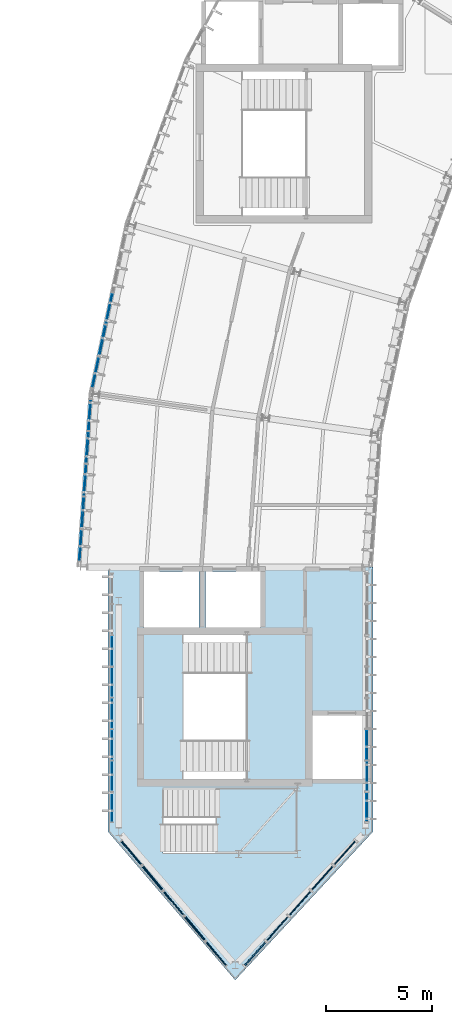
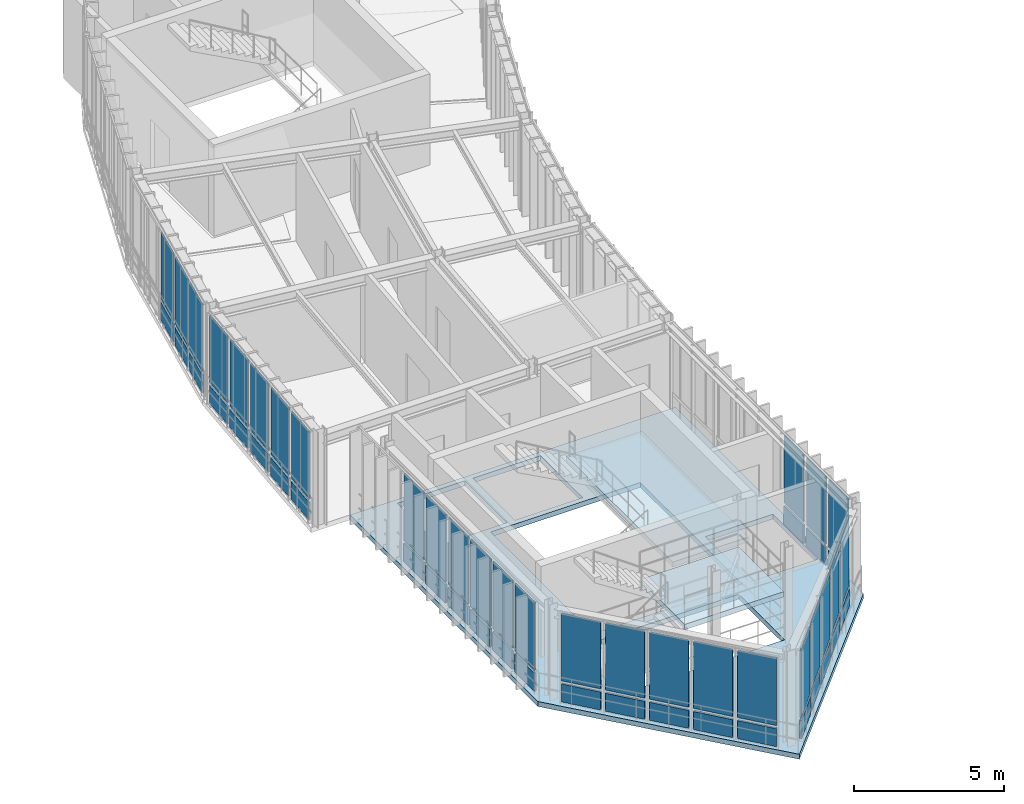
# One storey, part 18 of 41: 54 plates, 3 slabs, 8 elements without a shape of their own.
"""IFC4 building model written with IfcOpenShell, lengths in metres."""

from ifc_helpers import new_model, si_unit, direction, frame, origin, origin_2d, place, context, subcontext, project, spatial, polyline, rectangle, outline, extrude, material, layer, layer_set, type_object, element, aggregate, save


model = new_model("IFC4")

# Units and contexts
model_context = context("Model", 3, precision=1e-05, world=origin(), true_north=direction((0.0, 1.0)))
body_context = subcontext(model_context, "Body", "Model", "MODEL_VIEW")
ifc_project = project(units=[si_unit("LENGTHUNIT", "METRE"), si_unit("AREAUNIT", "SQUARE_METRE"), si_unit("VOLUMEUNIT", "CUBIC_METRE"), si_unit("PLANEANGLEUNIT", "RADIAN"), si_unit("MASSUNIT", "GRAM", prefix="KILO"), si_unit("THERMODYNAMICTEMPERATUREUNIT", "KELVIN"), si_unit("POWERUNIT", "WATT")], contexts=[model_context])

# Site, building, storey
site_placement = place(None, origin())
site = spatial("IfcSite", under=ifc_project, at=site_placement, CompositionType="ELEMENT")
building_placement = place(site_placement, origin())
building = spatial("IfcBuilding", under=site, at=building_placement, Name="Solvatero Civic Police Headquarters", CompositionType="ELEMENT")
storey_placement = place(building_placement, frame((0.0, 0.0, 17.699951171875)))
storey = spatial("IfcBuildingStorey", under=building, at=storey_placement, Name="L04", CompositionType="ELEMENT", Elevation=17.699951171875)

# Curtain wall, plates
ifc_material_1 = material(Name="Anodized Bronze Aluminium", Category="aluminium")
ifc_layer_1 = layer(ifc_material_1, 0.179931640625)
ifc_layer_set_1 = layer_set([ifc_layer_1], Name="Anodized Bronze Aluminium")
curtain_wall_type_1 = type_object("IfcCurtainWallType", Name="CW-ARC-OUT", PredefinedType="USERDEFINED", material=ifc_layer_set_1)
curtain_wall_1_placement = place(storey_placement, origin())
curtain_wall_1 = element("IfcCurtainWall", 1, at=curtain_wall_1_placement, inside=storey, type_object=curtain_wall_type_1, Name="Curtain Wall CW-R2-L04-ARC-OUT-B11", ObjectType="UNITISED", PredefinedType="USERDEFINED")
ifc_material_2 = material(Name="Triple Low-E Laminated Glass", Category="glass")
ifc_layer_2 = layer(ifc_material_2, 0.0380859375)
ifc_layer_set_2 = layer_set([ifc_layer_2], Name="Triple Low-E Laminated Glass")
plate_type_1 = type_object("IfcPlateType", Name="CWP-GLZ-38", PredefinedType="CURTAIN_PANEL", material=ifc_layer_set_2)
plate_1_placement = place(storey_placement, frame((36.5458984375, 38.207275390625, 0.91015625), z_axis=(0.0, 0.0, 1.0), x_axis=(-0.207911690818, -0.978147600734, 0.0)))
plate_1 = element("IfcPlate", 2, at=plate_1_placement, type_object=plate_type_1, Name="CW-R2-L04-ARC-OUT-B11 Vision Glazing 3", PredefinedType="CURTAIN_PANEL", context=body_context, shape_type="SweptSolid", body=[
    extrude(rectangle(XDim=1.37060546875, YDim=0.0380859375, at=origin_2d()), origin(), (0.0, 0.0, 1.0), 2.72998046875),
])
plate_2_placement = place(storey_placement, frame((35.901123046875, 35.174072265625, 0.91015625), z_axis=(0.0, 0.0, 1.0), x_axis=(-0.207911690818, -0.978147600734, 0.0)))
plate_2 = element("IfcPlate", 3, at=plate_2_placement, type_object=plate_type_1, Name="CW-R2-L04-ARC-OUT-B11 Vision Glazing 5", PredefinedType="CURTAIN_PANEL", context=body_context, shape_type="SweptSolid", body=[
    extrude(rectangle(XDim=1.37060546875, YDim=0.0380859375, at=origin_2d()), origin(), (0.0, 0.0, 1.0), 2.72998046875),
])

curtain_wall_2_placement = place(storey_placement, origin())
curtain_wall_2 = element("IfcCurtainWall", 4, at=curtain_wall_2_placement, inside=storey, type_object=curtain_wall_type_1, Name="Curtain Wall CW-R2-L04-ARC-OUT-B12", ObjectType="UNITISED", PredefinedType="USERDEFINED")
plate_3_placement = place(storey_placement, frame((35.623046875, 33.19580078125, 0.91015625), z_axis=(0.0, 0.0, 1.0), x_axis=(-0.069739062956, -0.997565267588, 0.0)))
plate_3 = element("IfcPlate", 5, at=plate_3_placement, type_object=plate_type_1, Name="CW-R2-L04-ARC-OUT-B12 Vision Glazing 1", PredefinedType="CURTAIN_PANEL", context=body_context, shape_type="SweptSolid", body=[
    extrude(rectangle(XDim=1.37060546875, YDim=0.0380859375, at=origin_2d()), origin(), (0.0, 0.0, 1.0), 2.72998046875),
])
plate_4_placement = place(storey_placement, frame((35.40673828125, 30.102294921875, 0.91015625), z_axis=(0.0, 0.0, 1.0), x_axis=(-0.069739062956, -0.997565267588, 0.0)))
plate_4 = element("IfcPlate", 6, at=plate_4_placement, type_object=plate_type_1, Name="CW-R2-L04-ARC-OUT-B12 Vision Glazing 3", PredefinedType="CURTAIN_PANEL", context=body_context, shape_type="SweptSolid", body=[
    extrude(rectangle(XDim=1.37060546875, YDim=0.0380859375, at=origin_2d()), origin(), (0.0, 0.0, 1.0), 2.72998046875),
])
plate_5_placement = place(storey_placement, frame((35.1904296875, 27.0087890625, 0.91015625), z_axis=(0.0, 0.0, 1.0), x_axis=(-0.069739062956, -0.997565267588, 0.0)))
plate_5 = element("IfcPlate", 7, at=plate_5_placement, type_object=plate_type_1, Name="CW-R2-L04-ARC-OUT-B12 Vision Glazing 5", PredefinedType="CURTAIN_PANEL", context=body_context, shape_type="SweptSolid", body=[
    extrude(rectangle(XDim=1.37060546875, YDim=0.0380859375, at=origin_2d()), origin(), (0.0, 0.0, 1.0), 2.72998046875),
])

ifc_layer_3 = layer(ifc_material_1, 0.179931640625)
ifc_layer_set_3 = layer_set([ifc_layer_3], Name="Anodized Bronze Aluminium")
curtain_wall_type_2 = type_object("IfcCurtainWallType", Name="CW-PROW-GLZ", PredefinedType="USERDEFINED", material=ifc_layer_set_3)
curtain_wall_3_placement = place(storey_placement, origin())
curtain_wall_3 = element("IfcCurtainWall", 8, at=curtain_wall_3_placement, inside=storey, type_object=curtain_wall_type_2, Name="Curtain Wall CW-R2-L04-PROW-W", ObjectType="UNITISED", PredefinedType="USERDEFINED")
plate_6_placement = place(storey_placement, frame((36.679931640625, 22.043212890625, 0.91015625), z_axis=(0.0, 0.0, 1.0), x_axis=(0.0, -1.0, 0.0)))
plate_6 = element("IfcPlate", 9, at=plate_6_placement, type_object=plate_type_1, Name="CW-R2-L04-PROW-W Vision Glazing 3", PredefinedType="CURTAIN_PANEL", context=body_context, shape_type="SweptSolid", body=[
    extrude(rectangle(XDim=1.298828125, YDim=0.0380859375, at=origin_2d()), origin(), (0.0, 0.0, 1.0), 2.72998046875),
])
plate_7_placement = place(storey_placement, frame((36.679931640625, 19.085693359375, 0.91015625), z_axis=(0.0, 0.0, 1.0), x_axis=(0.0, -1.0, 0.0)))
plate_7 = element("IfcPlate", 10, at=plate_7_placement, type_object=plate_type_1, Name="CW-R2-L04-PROW-W Vision Glazing 5", PredefinedType="CURTAIN_PANEL", context=body_context, shape_type="SweptSolid", body=[
    extrude(rectangle(XDim=1.298828125, YDim=0.0380859375, at=origin_2d()), origin(), (0.0, 0.0, 1.0), 2.72998046875),
])
plate_8_placement = place(storey_placement, frame((36.679931640625, 16.128173828125, 0.91015625), z_axis=(0.0, 0.0, 1.0), x_axis=(0.0, -1.0, 0.0)))
plate_8 = element("IfcPlate", 11, at=plate_8_placement, type_object=plate_type_1, Name="CW-R2-L04-PROW-W Vision Glazing 7", PredefinedType="CURTAIN_PANEL", context=body_context, shape_type="SweptSolid", body=[
    extrude(rectangle(XDim=1.298828125, YDim=0.0380859375, at=origin_2d()), origin(), (0.0, 0.0, 1.0), 2.72998046875),
])

# Curtain wall, plate
curtain_wall_4_placement = place(storey_placement, origin())
curtain_wall_4 = element("IfcCurtainWall", 12, at=curtain_wall_4_placement, inside=storey, type_object=curtain_wall_type_2, Name="Curtain Wall CW-R2-L04-PROW-E", ObjectType="UNITISED", PredefinedType="USERDEFINED")
plate_9_placement = place(storey_placement, frame((48.719970703125, 16.128173828125, 0.91015625), z_axis=(0.0, 0.0, 1.0), x_axis=(0.0, 1.0, 0.0)))
plate_9 = element("IfcPlate", 13, at=plate_9_placement, type_object=plate_type_1, Name="CW-R2-L04-PROW-E Vision Glazing 2", PredefinedType="CURTAIN_PANEL", context=body_context, shape_type="SweptSolid", body=[
    extrude(rectangle(XDim=1.298583984375, YDim=0.0380859375, at=origin_2d()), origin(), (0.0, 0.0, 1.0), 2.72998046875),
])

# Curtain wall, plates
curtain_wall_5_placement = place(storey_placement, origin())
curtain_wall_5 = element("IfcCurtainWall", 14, at=curtain_wall_5_placement, inside=storey, type_object=curtain_wall_type_2, Name="Curtain Wall CW-R2-L04-PROW-SW", ObjectType="UNITISED", PredefinedType="USERDEFINED")
plate_10_placement = place(storey_placement, frame((37.58984375, 12.507568359375, 0.91015625), z_axis=(0.0, 0.0, 1.0), x_axis=(0.643282165541, -0.765629189293, 0.0)))
plate_10 = element("IfcPlate", 15, at=plate_10_placement, type_object=plate_type_1, Name="CW-R2-L04-PROW-SW Vision Glazing 1", PredefinedType="CURTAIN_PANEL", context=body_context, shape_type="SweptSolid", body=[
    extrude(rectangle(XDim=1.37841796875, YDim=0.0380859375, at=origin_2d()), origin(), (0.0, 0.0, 1.0), 2.72998046875),
])
plate_11_placement = place(storey_placement, frame((39.5947265625, 10.121337890625, 0.91015625), z_axis=(0.0, 0.0, 1.0), x_axis=(0.643282165541, -0.765629189293, 0.0)))
plate_11 = element("IfcPlate", 16, at=plate_11_placement, type_object=plate_type_1, Name="CW-R2-L04-PROW-SW Vision Glazing 3", PredefinedType="CURTAIN_PANEL", context=body_context, shape_type="SweptSolid", body=[
    extrude(rectangle(XDim=1.37841796875, YDim=0.0380859375, at=origin_2d()), origin(), (0.0, 0.0, 1.0), 2.72998046875),
])
plate_12_placement = place(storey_placement, frame((41.599609375, 7.735107421875, 0.91015625), z_axis=(0.0, 0.0, 1.0), x_axis=(0.643282165541, -0.765629189293, 0.0)))
plate_12 = element("IfcPlate", 17, at=plate_12_placement, type_object=plate_type_1, Name="CW-R2-L04-PROW-SW Vision Glazing 5", PredefinedType="CURTAIN_PANEL", context=body_context, shape_type="SweptSolid", body=[
    extrude(rectangle(XDim=1.37841796875, YDim=0.0380859375, at=origin_2d()), origin(), (0.0, 0.0, 1.0), 2.72998046875),
])

curtain_wall_6_placement = place(storey_placement, origin())
curtain_wall_6 = element("IfcCurtainWall", 18, at=curtain_wall_6_placement, inside=storey, type_object=curtain_wall_type_2, Name="Curtain Wall CW-R2-L04-PROW-SE", ObjectType="UNITISED", PredefinedType="USERDEFINED")
plate_13_placement = place(storey_placement, frame((44.4892578125, 8.922607421875, 0.91015625), z_axis=(0.0, 0.0, 1.0), x_axis=(0.664669821698, 0.74713722175, 0.0)))
plate_13 = element("IfcPlate", 19, at=plate_13_placement, type_object=plate_type_1, Name="CW-R2-L04-PROW-SE Vision Glazing 2", PredefinedType="CURTAIN_PANEL", context=body_context, shape_type="SweptSolid", body=[
    extrude(rectangle(XDim=1.41943359375, YDim=0.0380859375, at=origin_2d()), origin(), (0.0, 0.0, 1.0), 2.72998046875),
])
plate_14_placement = place(storey_placement, frame((46.615478515625, 11.312744140625, 0.91015625), z_axis=(0.0, 0.0, 1.0), x_axis=(0.664669821698, 0.74713722175, 0.0)))
plate_14 = element("IfcPlate", 20, at=plate_14_placement, type_object=plate_type_1, Name="CW-R2-L04-PROW-SE Vision Glazing 4", PredefinedType="CURTAIN_PANEL", context=body_context, shape_type="SweptSolid", body=[
    extrude(rectangle(XDim=1.41943359375, YDim=0.0380859375, at=origin_2d()), origin(), (0.0, 0.0, 1.0), 2.72998046875),
])

# Plate
ifc_material_3 = material(Name="Acoustic Ballistic Laminated Glass", Category="glass")
ifc_layer_4 = layer(ifc_material_3, 0.0439453125)
ifc_layer_set_4 = layer_set([ifc_layer_4], Name="Acoustic Ballistic Laminated Glass")
plate_type_2 = type_object("IfcPlateType", Name="CWP-GLZ-44", PredefinedType="CURTAIN_PANEL", material=ifc_layer_set_4)
plate_15_placement = place(storey_placement, frame((36.223388671875, 36.690673828125, 0.91015625), z_axis=(0.0, 0.0, 1.0), x_axis=(-0.207911690818, -0.978147600734, 0.0)))
plate_15 = element("IfcPlate", 21, at=plate_15_placement, type_object=plate_type_2, Name="CW-R2-L04-ARC-OUT-B11 Vision Glazing 4", PredefinedType="CURTAIN_PANEL", context=body_context, shape_type="SweptSolid", body=[
    extrude(rectangle(XDim=1.37060546875, YDim=0.0439453125, at=origin_2d()), origin(), (0.0, 0.0, 1.0), 2.72998046875),
])

plate_16_placement = place(storey_placement, frame((35.514892578125, 31.64892578125, 0.91015625), z_axis=(0.0, 0.0, 1.0), x_axis=(-0.069739062956, -0.997565267588, 0.0)))
plate_16 = element("IfcPlate", 22, at=plate_16_placement, type_object=plate_type_2, Name="CW-R2-L04-ARC-OUT-B12 Vision Glazing 2", PredefinedType="CURTAIN_PANEL", context=body_context, shape_type="SweptSolid", body=[
    extrude(rectangle(XDim=1.37060546875, YDim=0.0439453125, at=origin_2d()), origin(), (0.0, 0.0, 1.0), 2.72998046875),
])

plate_17_placement = place(storey_placement, frame((35.298583984375, 28.555419921875, 0.91015625), z_axis=(0.0, 0.0, 1.0), x_axis=(-0.069739062956, -0.997565267588, 0.0)))
plate_17 = element("IfcPlate", 23, at=plate_17_placement, type_object=plate_type_2, Name="CW-R2-L04-ARC-OUT-B12 Vision Glazing 4", PredefinedType="CURTAIN_PANEL", context=body_context, shape_type="SweptSolid", body=[
    extrude(rectangle(XDim=1.37060546875, YDim=0.0439453125, at=origin_2d()), origin(), (0.0, 0.0, 1.0), 2.72998046875),
])

plate_18_placement = place(storey_placement, frame((36.679931640625, 20.564453125, 0.91015625), z_axis=(0.0, 0.0, 1.0), x_axis=(0.0, -1.0, 0.0)))
plate_18 = element("IfcPlate", 24, at=plate_18_placement, type_object=plate_type_2, Name="CW-R2-L04-PROW-W Vision Glazing 4", PredefinedType="CURTAIN_PANEL", context=body_context, shape_type="SweptSolid", body=[
    extrude(rectangle(XDim=1.298828125, YDim=0.0439453125, at=origin_2d()), origin(), (0.0, 0.0, 1.0), 2.72998046875),
])

plate_19_placement = place(storey_placement, frame((36.679931640625, 17.60693359375, 0.91015625), z_axis=(0.0, 0.0, 1.0), x_axis=(0.0, -1.0, 0.0)))
plate_19 = element("IfcPlate", 25, at=plate_19_placement, type_object=plate_type_2, Name="CW-R2-L04-PROW-W Vision Glazing 6", PredefinedType="CURTAIN_PANEL", context=body_context, shape_type="SweptSolid", body=[
    extrude(rectangle(XDim=1.298828125, YDim=0.0439453125, at=origin_2d()), origin(), (0.0, 0.0, 1.0), 2.72998046875),
])

plate_20_placement = place(storey_placement, frame((36.679931640625, 14.6494140625, 0.91015625), z_axis=(0.0, 0.0, 1.0), x_axis=(0.0, -1.0, 0.0)))
plate_20 = element("IfcPlate", 26, at=plate_20_placement, type_object=plate_type_2, Name="CW-R2-L04-PROW-W Vision Glazing 8", PredefinedType="CURTAIN_PANEL", context=body_context, shape_type="SweptSolid", body=[
    extrude(rectangle(XDim=1.298828125, YDim=0.0439453125, at=origin_2d()), origin(), (0.0, 0.0, 1.0), 2.72998046875),
])

plate_21_placement = place(storey_placement, frame((48.719970703125, 14.6494140625, 0.91015625), z_axis=(0.0, 0.0, 1.0), x_axis=(0.0, 1.0, 0.0)))
plate_21 = element("IfcPlate", 27, at=plate_21_placement, type_object=plate_type_2, Name="CW-R2-L04-PROW-E Vision Glazing 1", PredefinedType="CURTAIN_PANEL", context=body_context, shape_type="SweptSolid", body=[
    extrude(rectangle(XDim=1.298583984375, YDim=0.0439453125, at=origin_2d()), origin(), (0.0, 0.0, 1.0), 2.72998046875),
])

plate_22_placement = place(storey_placement, frame((48.719970703125, 17.60693359375, 0.91015625), z_axis=(0.0, 0.0, 1.0), x_axis=(0.0, 1.0, 0.0)))
plate_22 = element("IfcPlate", 28, at=plate_22_placement, type_object=plate_type_2, Name="CW-R2-L04-PROW-E Vision Glazing 3", PredefinedType="CURTAIN_PANEL", context=body_context, shape_type="SweptSolid", body=[
    extrude(rectangle(XDim=1.298828125, YDim=0.0439453125, at=origin_2d()), origin(), (0.0, 0.0, 1.0), 2.72998046875),
])

plate_23_placement = place(storey_placement, frame((38.59228515625, 11.314453125, 0.91015625), z_axis=(0.0, 0.0, 1.0), x_axis=(0.643282165541, -0.765629189293, 0.0)))
plate_23 = element("IfcPlate", 29, at=plate_23_placement, type_object=plate_type_2, Name="CW-R2-L04-PROW-SW Vision Glazing 2", PredefinedType="CURTAIN_PANEL", context=body_context, shape_type="SweptSolid", body=[
    extrude(rectangle(XDim=1.37841796875, YDim=0.0439453125, at=origin_2d()), origin(), (0.0, 0.0, 1.0), 2.72998046875),
])

plate_24_placement = place(storey_placement, frame((40.59716796875, 8.92822265625, 0.91015625), z_axis=(0.0, 0.0, 1.0), x_axis=(0.643282165541, -0.765629189293, 0.0)))
plate_24 = element("IfcPlate", 30, at=plate_24_placement, type_object=plate_type_2, Name="CW-R2-L04-PROW-SW Vision Glazing 4", PredefinedType="CURTAIN_PANEL", context=body_context, shape_type="SweptSolid", body=[
    extrude(rectangle(XDim=1.37841796875, YDim=0.0439453125, at=origin_2d()), origin(), (0.0, 0.0, 1.0), 2.72998046875),
])

plate_25_placement = place(storey_placement, frame((43.426025390625, 7.7275390625, 0.91015625), z_axis=(0.0, 0.0, 1.0), x_axis=(0.664669821698, 0.74713722175, 0.0)))
plate_25 = element("IfcPlate", 31, at=plate_25_placement, type_object=plate_type_2, Name="CW-R2-L04-PROW-SE Vision Glazing 1", PredefinedType="CURTAIN_PANEL", context=body_context, shape_type="SweptSolid", body=[
    extrude(rectangle(XDim=1.41943359375, YDim=0.0439453125, at=origin_2d()), origin(), (0.0, 0.0, 1.0), 2.72998046875),
])

plate_26_placement = place(storey_placement, frame((45.55224609375, 10.11767578125, 0.91015625), z_axis=(0.0, 0.0, 1.0), x_axis=(0.664669821698, 0.74713722175, 0.0)))
plate_26 = element("IfcPlate", 32, at=plate_26_placement, type_object=plate_type_2, Name="CW-R2-L04-PROW-SE Vision Glazing 3", PredefinedType="CURTAIN_PANEL", context=body_context, shape_type="SweptSolid", body=[
    extrude(rectangle(XDim=1.41943359375, YDim=0.0439453125, at=origin_2d()), origin(), (0.0, 0.0, 1.0), 2.72998046875),
])

plate_27_placement = place(storey_placement, frame((47.678466796875, 12.5078125, 0.91015625), z_axis=(0.0, 0.0, 1.0), x_axis=(0.664669821698, 0.74713722175, 0.0)))
plate_27 = element("IfcPlate", 33, at=plate_27_placement, type_object=plate_type_2, Name="CW-R2-L04-PROW-SE Vision Glazing 5", PredefinedType="CURTAIN_PANEL", context=body_context, shape_type="SweptSolid", body=[
    extrude(rectangle(XDim=1.41943359375, YDim=0.0439453125, at=origin_2d()), origin(), (0.0, 0.0, 1.0), 2.72998046875),
])

ifc_material_4 = material(Name="Insulated Bronze Aluminium Spandrel", Category="aluminium")
ifc_layer_5 = layer(ifc_material_4, 0.06005859375)
ifc_layer_set_5 = layer_set([ifc_layer_5], Name="Insulated Bronze Aluminium Spandrel")
plate_type_3 = type_object("IfcPlateType", Name="CWP-SPN-60", PredefinedType="CURTAIN_PANEL", material=ifc_layer_set_5)
plate_28_placement = place(storey_placement, frame((36.5458984375, 38.207275390625, 0.06005859375), z_axis=(0.0, 0.0, 1.0), x_axis=(-0.207911690818, -0.978147600734, 0.0)))
plate_28 = element("IfcPlate", 34, at=plate_28_placement, type_object=plate_type_3, Name="CW-R2-L04-ARC-OUT-B11 Spandrel Panel 3", PredefinedType="CURTAIN_PANEL", context=body_context, shape_type="SweptSolid", body=[
    extrude(rectangle(XDim=1.37060546875, YDim=0.06005859375, at=origin_2d()), origin(), (0.0, 0.0, 1.0), 0.72998046875),
])

plate_29_placement = place(storey_placement, frame((35.901123046875, 35.174072265625, 0.06005859375), z_axis=(0.0, 0.0, 1.0), x_axis=(-0.207911690818, -0.978147600734, 0.0)))
plate_29 = element("IfcPlate", 35, at=plate_29_placement, type_object=plate_type_3, Name="CW-R2-L04-ARC-OUT-B11 Spandrel Panel 5", PredefinedType="CURTAIN_PANEL", context=body_context, shape_type="SweptSolid", body=[
    extrude(rectangle(XDim=1.37060546875, YDim=0.06005859375, at=origin_2d()), origin(), (0.0, 0.0, 1.0), 0.72998046875),
])

plate_30_placement = place(storey_placement, frame((35.623046875, 33.19580078125, 0.06005859375), z_axis=(0.0, 0.0, 1.0), x_axis=(-0.069739062956, -0.997565267588, 0.0)))
plate_30 = element("IfcPlate", 36, at=plate_30_placement, type_object=plate_type_3, Name="CW-R2-L04-ARC-OUT-B12 Spandrel Panel 1", PredefinedType="CURTAIN_PANEL", context=body_context, shape_type="SweptSolid", body=[
    extrude(rectangle(XDim=1.37060546875, YDim=0.06005859375, at=origin_2d()), origin(), (0.0, 0.0, 1.0), 0.72998046875),
])

plate_31_placement = place(storey_placement, frame((35.40673828125, 30.102294921875, 0.06005859375), z_axis=(0.0, 0.0, 1.0), x_axis=(-0.069739062956, -0.997565267588, 0.0)))
plate_31 = element("IfcPlate", 37, at=plate_31_placement, type_object=plate_type_3, Name="CW-R2-L04-ARC-OUT-B12 Spandrel Panel 3", PredefinedType="CURTAIN_PANEL", context=body_context, shape_type="SweptSolid", body=[
    extrude(rectangle(XDim=1.37060546875, YDim=0.06005859375, at=origin_2d()), origin(), (0.0, 0.0, 1.0), 0.72998046875),
])

plate_32_placement = place(storey_placement, frame((35.1904296875, 27.0087890625, 0.06005859375), z_axis=(0.0, 0.0, 1.0), x_axis=(-0.069739062956, -0.997565267588, 0.0)))
plate_32 = element("IfcPlate", 38, at=plate_32_placement, type_object=plate_type_3, Name="CW-R2-L04-ARC-OUT-B12 Spandrel Panel 5", PredefinedType="CURTAIN_PANEL", context=body_context, shape_type="SweptSolid", body=[
    extrude(rectangle(XDim=1.37060546875, YDim=0.06005859375, at=origin_2d()), origin(), (0.0, 0.0, 1.0), 0.72998046875),
])

plate_33_placement = place(storey_placement, frame((36.679931640625, 22.043212890625, 0.06005859375), z_axis=(0.0, 0.0, 1.0), x_axis=(0.0, -1.0, 0.0)))
plate_33 = element("IfcPlate", 39, at=plate_33_placement, type_object=plate_type_3, Name="CW-R2-L04-PROW-W Spandrel Panel 3", PredefinedType="CURTAIN_PANEL", context=body_context, shape_type="SweptSolid", body=[
    extrude(rectangle(XDim=1.298828125, YDim=0.06005859375, at=origin_2d()), origin(), (0.0, 0.0, 1.0), 0.72998046875),
])

plate_34_placement = place(storey_placement, frame((36.679931640625, 19.085693359375, 0.06005859375), z_axis=(0.0, 0.0, 1.0), x_axis=(0.0, -1.0, 0.0)))
plate_34 = element("IfcPlate", 40, at=plate_34_placement, type_object=plate_type_3, Name="CW-R2-L04-PROW-W Spandrel Panel 5", PredefinedType="CURTAIN_PANEL", context=body_context, shape_type="SweptSolid", body=[
    extrude(rectangle(XDim=1.298828125, YDim=0.06005859375, at=origin_2d()), origin(), (0.0, 0.0, 1.0), 0.72998046875),
])

plate_35_placement = place(storey_placement, frame((36.679931640625, 16.128173828125, 0.06005859375), z_axis=(0.0, 0.0, 1.0), x_axis=(0.0, -1.0, 0.0)))
plate_35 = element("IfcPlate", 41, at=plate_35_placement, type_object=plate_type_3, Name="CW-R2-L04-PROW-W Spandrel Panel 7", PredefinedType="CURTAIN_PANEL", context=body_context, shape_type="SweptSolid", body=[
    extrude(rectangle(XDim=1.298828125, YDim=0.06005859375, at=origin_2d()), origin(), (0.0, 0.0, 1.0), 0.72998046875),
])

plate_36_placement = place(storey_placement, frame((48.719970703125, 16.128173828125, 0.06005859375), z_axis=(0.0, 0.0, 1.0), x_axis=(0.0, 1.0, 0.0)))
plate_36 = element("IfcPlate", 42, at=plate_36_placement, type_object=plate_type_3, Name="CW-R2-L04-PROW-E Spandrel Panel 2", PredefinedType="CURTAIN_PANEL", context=body_context, shape_type="SweptSolid", body=[
    extrude(rectangle(XDim=1.298583984375, YDim=0.06005859375, at=origin_2d()), origin(), (0.0, 0.0, 1.0), 0.72998046875),
])

plate_37_placement = place(storey_placement, frame((37.58984375, 12.507568359375, 0.06005859375), z_axis=(0.0, 0.0, 1.0), x_axis=(0.643282165541, -0.765629189293, 0.0)))
plate_37 = element("IfcPlate", 43, at=plate_37_placement, type_object=plate_type_3, Name="CW-R2-L04-PROW-SW Spandrel Panel 1", PredefinedType="CURTAIN_PANEL", context=body_context, shape_type="SweptSolid", body=[
    extrude(rectangle(XDim=1.37841796875, YDim=0.06005859375, at=origin_2d()), origin(), (0.0, 0.0, 1.0), 0.72998046875),
])

plate_38_placement = place(storey_placement, frame((39.5947265625, 10.121337890625, 0.06005859375), z_axis=(0.0, 0.0, 1.0), x_axis=(0.643282165541, -0.765629189293, 0.0)))
plate_38 = element("IfcPlate", 44, at=plate_38_placement, type_object=plate_type_3, Name="CW-R2-L04-PROW-SW Spandrel Panel 3", PredefinedType="CURTAIN_PANEL", context=body_context, shape_type="SweptSolid", body=[
    extrude(rectangle(XDim=1.37841796875, YDim=0.06005859375, at=origin_2d()), origin(), (0.0, 0.0, 1.0), 0.72998046875),
])

plate_39_placement = place(storey_placement, frame((41.599609375, 7.735107421875, 0.06005859375), z_axis=(0.0, 0.0, 1.0), x_axis=(0.643282165541, -0.765629189293, 0.0)))
plate_39 = element("IfcPlate", 45, at=plate_39_placement, type_object=plate_type_3, Name="CW-R2-L04-PROW-SW Spandrel Panel 5", PredefinedType="CURTAIN_PANEL", context=body_context, shape_type="SweptSolid", body=[
    extrude(rectangle(XDim=1.37841796875, YDim=0.06005859375, at=origin_2d()), origin(), (0.0, 0.0, 1.0), 0.72998046875),
])

plate_40_placement = place(storey_placement, frame((44.4892578125, 8.922607421875, 0.06005859375), z_axis=(0.0, 0.0, 1.0), x_axis=(0.664669821698, 0.74713722175, 0.0)))
plate_40 = element("IfcPlate", 46, at=plate_40_placement, type_object=plate_type_3, Name="CW-R2-L04-PROW-SE Spandrel Panel 2", PredefinedType="CURTAIN_PANEL", context=body_context, shape_type="SweptSolid", body=[
    extrude(rectangle(XDim=1.41943359375, YDim=0.06005859375, at=origin_2d()), origin(), (0.0, 0.0, 1.0), 0.72998046875),
])

plate_41_placement = place(storey_placement, frame((46.615478515625, 11.312744140625, 0.06005859375), z_axis=(0.0, 0.0, 1.0), x_axis=(0.664669821698, 0.74713722175, 0.0)))
plate_41 = element("IfcPlate", 47, at=plate_41_placement, type_object=plate_type_3, Name="CW-R2-L04-PROW-SE Spandrel Panel 4", PredefinedType="CURTAIN_PANEL", context=body_context, shape_type="SweptSolid", body=[
    extrude(rectangle(XDim=1.41943359375, YDim=0.06005859375, at=origin_2d()), origin(), (0.0, 0.0, 1.0), 0.72998046875),
])

ifc_material_5 = material(Name="Limestone Veneer Spandrel Panel", Category="masonry")
ifc_layer_6 = layer(ifc_material_5, 0.074951171875)
ifc_layer_set_6 = layer_set([ifc_layer_6], Name="Limestone Veneer Spandrel Panel")
plate_type_4 = type_object("IfcPlateType", Name="CWP-SPN-75", PredefinedType="CURTAIN_PANEL", material=ifc_layer_set_6)
plate_42_placement = place(storey_placement, frame((36.223388671875, 36.690673828125, 0.06005859375), z_axis=(0.0, 0.0, 1.0), x_axis=(-0.207911690818, -0.978147600734, 0.0)))
plate_42 = element("IfcPlate", 48, at=plate_42_placement, type_object=plate_type_4, Name="CW-R2-L04-ARC-OUT-B11 Spandrel Panel 4", PredefinedType="CURTAIN_PANEL", context=body_context, shape_type="SweptSolid", body=[
    extrude(rectangle(XDim=1.37060546875, YDim=0.074951171875, at=origin_2d()), origin(), (0.0, 0.0, 1.0), 0.72998046875),
])

aggregate(curtain_wall_1, [plate_28, plate_1, plate_42, plate_15, plate_29, plate_2])

plate_43_placement = place(storey_placement, frame((35.514892578125, 31.64892578125, 0.06005859375), z_axis=(0.0, 0.0, 1.0), x_axis=(-0.069739062956, -0.997565267588, 0.0)))
plate_43 = element("IfcPlate", 49, at=plate_43_placement, type_object=plate_type_4, Name="CW-R2-L04-ARC-OUT-B12 Spandrel Panel 2", PredefinedType="CURTAIN_PANEL", context=body_context, shape_type="SweptSolid", body=[
    extrude(rectangle(XDim=1.37060546875, YDim=0.074951171875, at=origin_2d()), origin(), (0.0, 0.0, 1.0), 0.72998046875),
])

plate_44_placement = place(storey_placement, frame((35.298583984375, 28.555419921875, 0.06005859375), z_axis=(0.0, 0.0, 1.0), x_axis=(-0.069739062956, -0.997565267588, 0.0)))
plate_44 = element("IfcPlate", 50, at=plate_44_placement, type_object=plate_type_4, Name="CW-R2-L04-ARC-OUT-B12 Spandrel Panel 4", PredefinedType="CURTAIN_PANEL", context=body_context, shape_type="SweptSolid", body=[
    extrude(rectangle(XDim=1.37060546875, YDim=0.074951171875, at=origin_2d()), origin(), (0.0, 0.0, 1.0), 0.72998046875),
])

aggregate(curtain_wall_2, [plate_30, plate_3, plate_43, plate_16, plate_31, plate_4, plate_44, plate_17, plate_32, plate_5])

plate_45_placement = place(storey_placement, frame((36.679931640625, 20.564453125, 0.06005859375), z_axis=(0.0, 0.0, 1.0), x_axis=(0.0, -1.0, 0.0)))
plate_45 = element("IfcPlate", 51, at=plate_45_placement, type_object=plate_type_4, Name="CW-R2-L04-PROW-W Spandrel Panel 4", PredefinedType="CURTAIN_PANEL", context=body_context, shape_type="SweptSolid", body=[
    extrude(rectangle(XDim=1.298828125, YDim=0.074951171875, at=origin_2d()), origin(), (0.0, 0.0, 1.0), 0.72998046875),
])

plate_46_placement = place(storey_placement, frame((36.679931640625, 17.60693359375, 0.06005859375), z_axis=(0.0, 0.0, 1.0), x_axis=(0.0, -1.0, 0.0)))
plate_46 = element("IfcPlate", 52, at=plate_46_placement, type_object=plate_type_4, Name="CW-R2-L04-PROW-W Spandrel Panel 6", PredefinedType="CURTAIN_PANEL", context=body_context, shape_type="SweptSolid", body=[
    extrude(rectangle(XDim=1.298828125, YDim=0.074951171875, at=origin_2d()), origin(), (0.0, 0.0, 1.0), 0.72998046875),
])

plate_47_placement = place(storey_placement, frame((36.679931640625, 14.6494140625, 0.06005859375), z_axis=(0.0, 0.0, 1.0), x_axis=(0.0, -1.0, 0.0)))
plate_47 = element("IfcPlate", 53, at=plate_47_placement, type_object=plate_type_4, Name="CW-R2-L04-PROW-W Spandrel Panel 8", PredefinedType="CURTAIN_PANEL", context=body_context, shape_type="SweptSolid", body=[
    extrude(rectangle(XDim=1.298828125, YDim=0.074951171875, at=origin_2d()), origin(), (0.0, 0.0, 1.0), 0.72998046875),
])

aggregate(curtain_wall_3, [plate_33, plate_6, plate_45, plate_18, plate_34, plate_7, plate_46, plate_19, plate_35, plate_8, plate_47, plate_20])

plate_48_placement = place(storey_placement, frame((48.719970703125, 14.6494140625, 0.06005859375), z_axis=(0.0, 0.0, 1.0), x_axis=(0.0, 1.0, 0.0)))
plate_48 = element("IfcPlate", 54, at=plate_48_placement, type_object=plate_type_4, Name="CW-R2-L04-PROW-E Spandrel Panel 1", PredefinedType="CURTAIN_PANEL", context=body_context, shape_type="SweptSolid", body=[
    extrude(rectangle(XDim=1.298583984375, YDim=0.074951171875, at=origin_2d()), origin(), (0.0, 0.0, 1.0), 0.72998046875),
])

plate_49_placement = place(storey_placement, frame((48.719970703125, 17.60693359375, 0.06005859375), z_axis=(0.0, 0.0, 1.0), x_axis=(0.0, 1.0, 0.0)))
plate_49 = element("IfcPlate", 55, at=plate_49_placement, type_object=plate_type_4, Name="CW-R2-L04-PROW-E Spandrel Panel 3", PredefinedType="CURTAIN_PANEL", context=body_context, shape_type="SweptSolid", body=[
    extrude(rectangle(XDim=1.298828125, YDim=0.074951171875, at=origin_2d()), origin(), (0.0, 0.0, 1.0), 0.72998046875),
])

aggregate(curtain_wall_4, [plate_48, plate_21, plate_36, plate_9, plate_49, plate_22])

plate_50_placement = place(storey_placement, frame((38.59228515625, 11.314453125, 0.06005859375), z_axis=(0.0, 0.0, 1.0), x_axis=(0.643282165541, -0.765629189293, 0.0)))
plate_50 = element("IfcPlate", 56, at=plate_50_placement, type_object=plate_type_4, Name="CW-R2-L04-PROW-SW Spandrel Panel 2", PredefinedType="CURTAIN_PANEL", context=body_context, shape_type="SweptSolid", body=[
    extrude(rectangle(XDim=1.37841796875, YDim=0.074951171875, at=origin_2d()), origin(), (0.0, 0.0, 1.0), 0.72998046875),
])

plate_51_placement = place(storey_placement, frame((40.59716796875, 8.92822265625, 0.06005859375), z_axis=(0.0, 0.0, 1.0), x_axis=(0.643282165541, -0.765629189293, 0.0)))
plate_51 = element("IfcPlate", 57, at=plate_51_placement, type_object=plate_type_4, Name="CW-R2-L04-PROW-SW Spandrel Panel 4", PredefinedType="CURTAIN_PANEL", context=body_context, shape_type="SweptSolid", body=[
    extrude(rectangle(XDim=1.37841796875, YDim=0.074951171875, at=origin_2d()), origin(), (0.0, 0.0, 1.0), 0.72998046875),
])

aggregate(curtain_wall_5, [plate_37, plate_10, plate_50, plate_23, plate_38, plate_11, plate_51, plate_24, plate_39, plate_12])

plate_52_placement = place(storey_placement, frame((43.426025390625, 7.7275390625, 0.06005859375), z_axis=(0.0, 0.0, 1.0), x_axis=(0.664669821698, 0.74713722175, 0.0)))
plate_52 = element("IfcPlate", 58, at=plate_52_placement, type_object=plate_type_4, Name="CW-R2-L04-PROW-SE Spandrel Panel 1", PredefinedType="CURTAIN_PANEL", context=body_context, shape_type="SweptSolid", body=[
    extrude(rectangle(XDim=1.41943359375, YDim=0.074951171875, at=origin_2d()), origin(), (0.0, 0.0, 1.0), 0.72998046875),
])

plate_53_placement = place(storey_placement, frame((45.55224609375, 10.11767578125, 0.06005859375), z_axis=(0.0, 0.0, 1.0), x_axis=(0.664669821698, 0.74713722175, 0.0)))
plate_53 = element("IfcPlate", 59, at=plate_53_placement, type_object=plate_type_4, Name="CW-R2-L04-PROW-SE Spandrel Panel 3", PredefinedType="CURTAIN_PANEL", context=body_context, shape_type="SweptSolid", body=[
    extrude(rectangle(XDim=1.41943359375, YDim=0.074951171875, at=origin_2d()), origin(), (0.0, 0.0, 1.0), 0.72998046875),
])

plate_54_placement = place(storey_placement, frame((47.678466796875, 12.5078125, 0.06005859375), z_axis=(0.0, 0.0, 1.0), x_axis=(0.664669821698, 0.74713722175, 0.0)))
plate_54 = element("IfcPlate", 60, at=plate_54_placement, type_object=plate_type_4, Name="CW-R2-L04-PROW-SE Spandrel Panel 5", PredefinedType="CURTAIN_PANEL", context=body_context, shape_type="SweptSolid", body=[
    extrude(rectangle(XDim=1.41943359375, YDim=0.074951171875, at=origin_2d()), origin(), (0.0, 0.0, 1.0), 0.72998046875),
])

aggregate(curtain_wall_6, [plate_52, plate_25, plate_40, plate_13, plate_53, plate_26, plate_41, plate_14, plate_54, plate_27])

# Slab
ifc_material_6 = material(Name="Concrete C35/45", Category="concrete")
ifc_layer_7 = layer(ifc_material_6, 0.199951171875)
ifc_layer_set_7 = layer_set([ifc_layer_7], Name="Concrete C35/45")
slab_type_1 = type_object("IfcSlabType", Name="SLB-COMP-200", PredefinedType="FLOOR", material=ifc_layer_set_7)
slab_1_placement = place(storey_placement, frame((0.0, 0.0, -0.199951171875)))
element("IfcSlab", 61, at=slab_1_placement, inside=storey, type_object=slab_type_1, Name="L04 South-West Prow Floor Slab", PredefinedType="FLOOR", context=body_context, shape_type="SweptSolid", body=[
    extrude(outline(polyline([(49.0, 13.5), (42.5, 6.5), (36.5, 13.5), (36.5, 26.0), (49.0, 26.0), (49.0, 13.5)]), holes=[polyline([(39.10009765625, 12.5), (45.39990234375, 12.5), (45.39990234375, 15.550048828125), (39.10009765625, 15.550048828125), (39.10009765625, 12.5)]), polyline([(46.10009765625, 16.0), (48.699951171875, 16.0), (48.699951171875, 19.0), (46.10009765625, 19.0), (46.10009765625, 16.0)]), polyline([(40.06005859375, 16.0), (45.800048828125, 16.0), (45.800048828125, 22.800048828125), (40.06005859375, 22.800048828125), (40.06005859375, 16.0)]), polyline([(38.199951171875, 25.800048828125), (38.199951171875, 23.0), (40.800048828125, 23.0), (40.800048828125, 25.800048828125), (38.199951171875, 25.800048828125)]), polyline([(41.10009765625, 25.800048828125), (41.10009765625, 23.0), (43.699951171875, 23.0), (43.699951171875, 25.800048828125), (41.10009765625, 25.800048828125)])]), origin(), (0.0, 0.0, 1.0), 0.199951171875),
])

# Stair, slab
ifc_material_7 = material(Name="Precast concrete C40/50", Category="concrete")
stair_type_1 = type_object("IfcStairType", Name="STR-C150-390", PredefinedType="HALF_TURN_STAIR", material=ifc_material_7)
stair_1_placement = place(storey_placement, origin())
stair_1 = element("IfcStair", 62, at=stair_1_placement, inside=storey, type_object=stair_type_1, Name="Protected Exit Stair ST-C1 (L04 to L05)", PredefinedType="HALF_TURN_STAIR")
ifc_layer_8 = layer(ifc_material_7, 0.199951171875)
ifc_layer_set_8 = layer_set([ifc_layer_8], Name="Precast concrete C40/50")
slab_type_2 = type_object("IfcSlabType", Name="SLB-LND-200", PredefinedType="LANDING", material=ifc_layer_set_8)
slab_2_placement = place(storey_placement, frame((0.0, 0.0, 1.75)))
slab_2 = element("IfcSlab", 63, at=slab_2_placement, type_object=slab_type_2, Name="ST-C1 L04 Half-Landing", PredefinedType="LANDING", context=body_context, shape_type="SweptSolid", body=[
    extrude(outline(polyline([(43.0400390625, 15.85009765625), (45.949951171875, 15.85009765625), (45.949951171875, 22.949951171875), (43.0400390625, 22.949951171875), (43.0400390625, 15.85009765625)])), origin(), (0.0, 0.0, 1.0), 0.199951171875),
])
aggregate(stair_1, [slab_2])

stair_type_2 = type_object("IfcStairType", Name="STR-PRW-390", PredefinedType="HALF_TURN_STAIR", material=ifc_material_7)
stair_2_placement = place(storey_placement, origin())
stair_2 = element("IfcStair", 64, at=stair_2_placement, inside=storey, type_object=stair_type_2, Name="Glazed Prow Ceremonial Stair (L04 to L05)", PredefinedType="HALF_TURN_STAIR")
ifc_layer_9 = layer(ifc_material_7, 0.215087890625)
ifc_layer_set_9 = layer_set([ifc_layer_9], Name="Precast concrete C40/50")
slab_type_3 = type_object("IfcSlabType", Name="SLB-LND-215", PredefinedType="LANDING", material=ifc_layer_set_9)
slab_3_placement = place(storey_placement, frame((0.0, 0.0, 1.735107421875)))
slab_3 = element("IfcSlab", 65, at=slab_3_placement, type_object=slab_type_3, Name="ST-PRW L04 Glazed Prow Half-Landing", PredefinedType="LANDING", context=body_context, shape_type="SweptSolid", body=[
    extrude(outline(polyline([(41.570068359375, 12.52001953125), (45.3798828125, 12.52001953125), (45.3798828125, 15.530029296875), (41.570068359375, 15.530029296875), (41.570068359375, 12.52001953125)])), origin(), (0.0, 0.0, 1.0), 0.21484375),
])
aggregate(stair_2, [slab_3])

save(model, "model.ifc")
